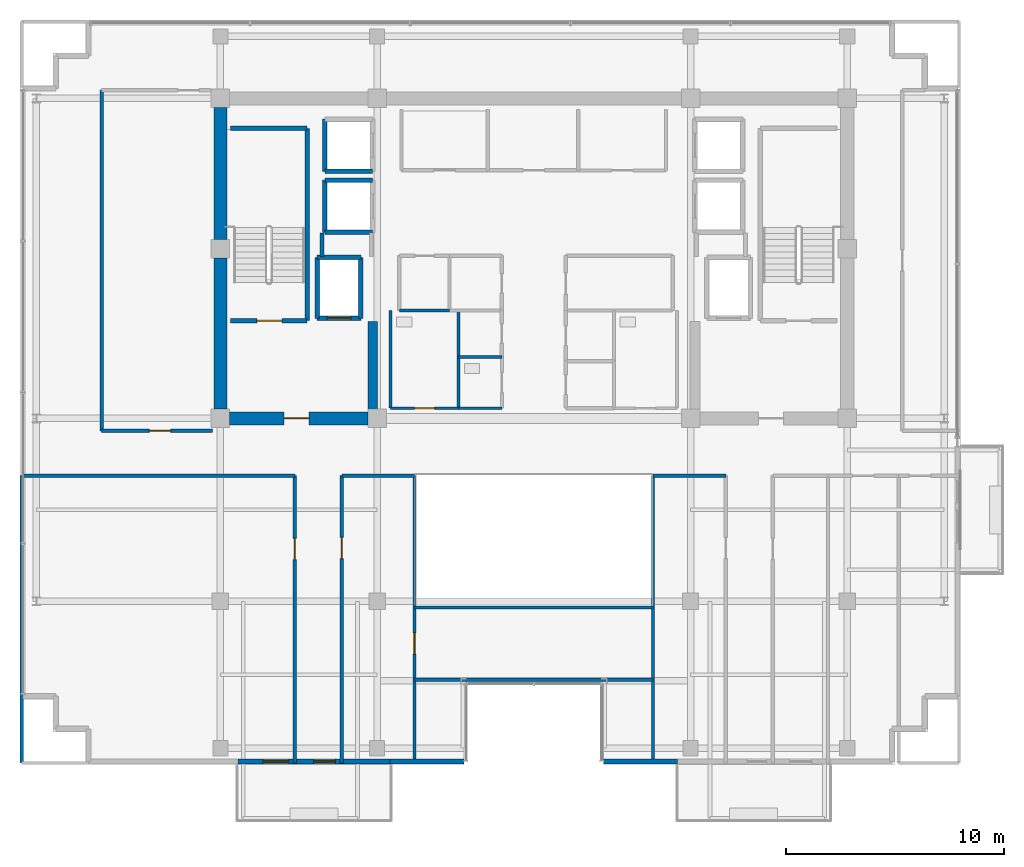
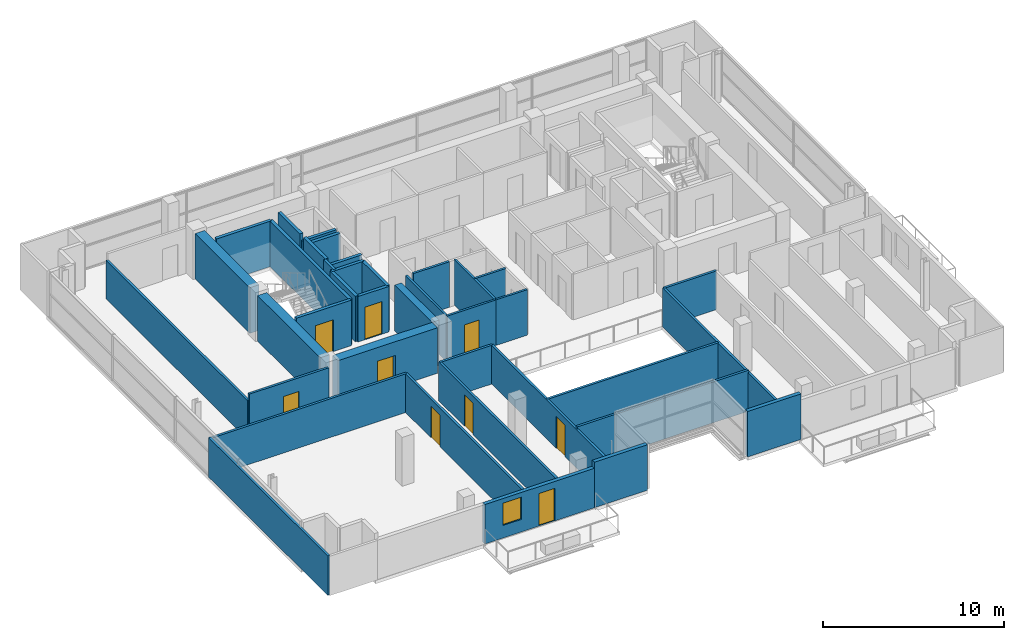
# One storey, part 16 of 22: 38 walls, 9 doors, 1 window, 10 openings.
"""IFC4 building model written with IfcOpenShell, lengths in metres."""

from ifc_helpers import new_model, si_unit, direction, frame, frame_2d, origin, place, context, subcontext, project, spatial, rectangle, extrude, source, transform, mapped, material, layer, layer_set, type_object, element, fill, save


model = new_model("IFC4")

# Units and contexts
model_context = context("Model", 3, precision=1e-05, world=origin(), true_north=direction((0.0, 1.0)))
body_context = subcontext(model_context, "Body", "Model", "MODEL_VIEW")
ifc_project = project(units=[si_unit("LENGTHUNIT", "METRE"), si_unit("AREAUNIT", "SQUARE_METRE"), si_unit("VOLUMEUNIT", "CUBIC_METRE"), si_unit("PLANEANGLEUNIT", "RADIAN"), si_unit("MASSUNIT", "GRAM", prefix="KILO")], contexts=[model_context])

# Site, building, storey
site_placement = place(None, origin())
site = spatial("IfcSite", under=ifc_project, at=site_placement, CompositionType="ELEMENT")
building_placement = place(site_placement, origin())
building = spatial("IfcBuilding", under=site, at=building_placement, Name="Zarnakvel Exchange Tower", CompositionType="ELEMENT")
storey_placement = place(building_placement, frame((0.0, 0.0, 225.39990234375)))
storey = spatial("IfcBuildingStorey", under=building, at=storey_placement, Name="L63", CompositionType="ELEMENT", Elevation=225.39990234375)

# Walls
ifc_material_1 = material(Name="Concrete C50/60", Category="concrete")
ifc_layer_1 = layer(ifc_material_1, 0.60009765625)
ifc_layer_set_1 = layer_set([ifc_layer_1], Name="Concrete C50/60")
wall_type_1 = type_object("IfcWallType", Name="CW-C5", PredefinedType="SHEAR", material=ifc_layer_set_1)
wall_1_placement = place(storey_placement, frame((-14.39990234375, -0.77490234375, 0.0), z_axis=(0.0, 0.0, 1.0), x_axis=(0.0, 1.0, 0.0)))
element("IfcWall", 1, at=wall_1_placement, inside=storey, type_object=wall_type_1, Name="L63 Rear Core Shear Wall W1 (CW-C5)", PredefinedType="SHEAR", context=body_context, shape_type="SweptSolid", body=[
    extrude(rectangle(XDim=6.949951171875, YDim=0.60009765625, at=frame_2d((3.47509765625, 0.0))), origin(), (0.0, 0.0, 1.0), 3.0751953125),
])
wall_2_placement = place(storey_placement, frame((-14.39990234375, 7.02490234375, 0.0), z_axis=(0.0, 0.0, 1.0), x_axis=(0.0, 1.0, 0.0)))
element("IfcWall", 2, at=wall_2_placement, inside=storey, type_object=wall_type_1, Name="L63 Rear Core Shear Wall W2 (CW-C5)", PredefinedType="SHEAR", context=body_context, shape_type="SweptSolid", body=[
    extrude(rectangle(XDim=6.050048828125, YDim=0.60009765625, at=frame_2d((3.02490234375, 0.0))), origin(), (0.0, 0.0, 1.0), 3.0751953125),
])

# Wall, opening, door
wall_3_placement = place(storey_placement, frame((-7.625, -1.199951171875, 0.0), z_axis=(0.0, 0.0, 1.0), x_axis=(-1.0, 0.0, 0.0)))
wall_3 = element("IfcWall", 3, at=wall_3_placement, inside=storey, type_object=wall_type_1, Name="L63 Rear Core Shear Wall SW (CW-C5)", PredefinedType="SHEAR", context=body_context, shape_type="SweptSolid", body=[
    extrude(rectangle(XDim=6.35009765625, YDim=0.60009765625, at=frame_2d((3.175048828125, 0.0))), origin(), (0.0, 0.0, 1.0), 3.0751953125),
])
opening_1_placement = place(wall_3_placement, frame((2.699951171875, 0.0, 0.0)))
opening_1 = element("IfcOpeningElement", 4, at=opening_1_placement, cuts=wall_3, Name="Opening D-L63-03", PredefinedType="OPENING", context=body_context, shape_type="SweptSolid", body=[
    extrude(rectangle(XDim=1.14990234375, YDim=2.14990234375, at=frame_2d((0.574951171875, 1.074951171875))), frame((0.0, 0.31005859375, 0.0), z_axis=(0.0, -1.0, 0.0), x_axis=(1.0, 0.0, 0.0)), (0.0, 0.0, 1.0), 0.6201171875),
])
ifc_material_2 = material(Name="Painted Galvanised Steel S355", Category="steel")
door_type_1 = type_object("IfcDoorType", Name="DT-04", OperationType="NOTDEFINED", PredefinedType="DOOR", material=ifc_material_2)
shared_shape_1 = source(origin(), body_context, "Body", "SweptSolid", [
    extrude(rectangle(XDim=1.14990234375, YDim=2.14990234375, at=frame_2d((0.574951171875, 1.074951171875))), frame((0.0, 0.02490234375, 0.0), z_axis=(0.0, -1.0, 0.0), x_axis=(1.0, 0.0, 0.0)), (0.0, 0.0, 1.0), 0.050048828125),
])
door_1_placement = place(opening_1_placement, origin())
door_1 = element("IfcDoor", 5, at=door_1_placement, inside=storey, type_object=door_type_1, Name="L63 Firefighting Lobby West Door D-L63-03", OperationType="SINGLE_SWING_LEFT", OverallHeight=2.14990234375, OverallWidth=1.14990234375, PredefinedType="DOOR", context=body_context, shape_type="MappedRepresentation", body=[
    mapped(shared_shape_1, transform((0.0, 0.0, 0.0), x_axis=(1.0, 0.0, 0.0), y_axis=(0.0, 1.0, 0.0), z_axis=(0.0, 0.0, 1.0), scale=1.0)),
])
fill(opening_1, door_1)

# Wall
ifc_layer_2 = layer(ifc_material_1, 0.449951171875)
ifc_layer_set_2 = layer_set([ifc_layer_2], Name="Concrete C50/60")
wall_type_2 = type_object("IfcWallType", Name="CW-C6", PredefinedType="SHEAR", material=ifc_layer_set_2)
wall_4_placement = place(storey_placement, frame((-7.39990234375, -0.89990234375, 0.0), z_axis=(0.0, 0.0, 1.0), x_axis=(0.0, 1.0, 0.0)))
element("IfcWall", 6, at=wall_4_placement, inside=storey, type_object=wall_type_2, Name="L63 Rear Core Shear Wall IW (CW-C6)", PredefinedType="SHEAR", context=body_context, shape_type="SweptSolid", body=[
    extrude(rectangle(XDim=4.14990234375, YDim=0.449951171875, at=frame_2d((2.074951171875, 0.0))), origin(), (0.0, 0.0, 1.0), 3.0751953125),
])

# Wall, openings, door, window
ifc_material_3 = material(Name="Precast concrete C40/50", Category="concrete")
ifc_layer_3 = layer(ifc_material_3, 0.239990234375)
ifc_layer_set_3 = layer_set([ifc_layer_3], Name="Precast concrete C40/50")
wall_type_3 = type_object("IfcWallType", Name="EW-02", PredefinedType="SOLIDWALL", material=ifc_layer_set_3)
wall_5_placement = place(storey_placement, frame((-6.60009765625, -16.9599609375, 0.0), z_axis=(0.0, 0.0, 1.0), x_axis=(-1.0, 0.0, 0.0)))
wall_5 = element("IfcWall", 7, at=wall_5_placement, inside=storey, type_object=wall_type_3, Name="L63 Exterior Precast Spandrel Wall EW-BAL-L63-SW (EW-02)", PredefinedType="SOLIDWALL", context=body_context, shape_type="SweptSolid", body=[
    extrude(rectangle(XDim=7.0, YDim=0.239990234375, at=frame_2d((3.5, 0.0))), origin(), (0.0, 0.0, 1.0), 2.6650390625),
])
opening_2_placement = place(wall_5_placement, frame((2.52001953125, 0.0, 0.0)))
opening_2 = element("IfcOpeningElement", 8, at=opening_2_placement, cuts=wall_5, Name="Opening BD-L63-01", PredefinedType="OPENING", context=body_context, shape_type="SweptSolid", body=[
    extrude(rectangle(XDim=1.0, YDim=2.199951171875, at=frame_2d((0.5, 1.10009765625))), frame((0.0, 0.1298828125, 0.0), z_axis=(0.0, -1.0, 0.0), x_axis=(1.0, 0.0, 0.0)), (0.0, 0.0, 1.0), 0.260009765625),
])
opening_3_placement = place(wall_5_placement, frame((4.64990234375, 0.0, 0.85009765625)))
opening_3 = element("IfcOpeningElement", 9, at=opening_3_placement, cuts=wall_5, Name="Opening WN-04", PredefinedType="OPENING", context=body_context, shape_type="SweptSolid", body=[
    extrude(rectangle(XDim=1.199951171875, YDim=1.5, at=frame_2d((0.60009765625, 0.75))), frame((0.0, 0.1298828125, 0.0), z_axis=(0.0, -1.0, 0.0), x_axis=(1.0, 0.0, 0.0)), (0.0, 0.0, 1.0), 0.260009765625),
])
ifc_material_4 = material(Name="Architectural Bronze Anodised Aluminium", Category="aluminium")
door_type_2 = type_object("IfcDoorType", Name="DT-09", OperationType="NOTDEFINED", PredefinedType="DOOR", material=ifc_material_4)
shared_shape_2 = source(origin(), body_context, "Body", "SweptSolid", [
    extrude(rectangle(XDim=1.0, YDim=2.199951171875, at=frame_2d((0.5, 1.10009765625))), frame((0.0, 0.02490234375, 0.0), z_axis=(0.0, -1.0, 0.0), x_axis=(1.0, 0.0, 0.0)), (0.0, 0.0, 1.0), 0.050048828125),
])
door_2_placement = place(opening_2_placement, origin())
door_2 = element("IfcDoor", 10, at=door_2_placement, inside=storey, type_object=door_type_2, Name="L63 Planted Loggia Balcony Door BD-L63-01", OperationType="SINGLE_SWING_LEFT", OverallHeight=2.199951171875, OverallWidth=1.0, PredefinedType="DOOR", context=body_context, shape_type="MappedRepresentation", body=[
    mapped(shared_shape_2, transform((0.0, 0.0, 0.0), x_axis=(1.0, 0.0, 0.0), y_axis=(0.0, 1.0, 0.0), z_axis=(0.0, 0.0, 1.0), scale=1.0)),
])
fill(opening_2, door_2)
ifc_material_5 = material(Name="Double Low-E Laminated Vision Glass", Category="glass")
window_type = type_object("IfcWindowType", Name="WN-04", PartitioningType="SINGLE_PANEL", PredefinedType="WINDOW", material=ifc_material_5)
shared_shape_3 = source(origin(), body_context, "Body", "SweptSolid", [
    extrude(rectangle(XDim=1.199951171875, YDim=1.5, at=frame_2d((0.60009765625, 0.75))), frame((0.0, 0.030029296875, 0.0), z_axis=(0.0, -1.0, 0.0), x_axis=(1.0, 0.0, 0.0)), (0.0, 0.0, 1.0), 0.06005859375),
])
window_placement = place(opening_3_placement, origin())
window = element("IfcWindow", 11, at=window_placement, inside=storey, type_object=window_type, Name="L63 Loggia Daylight Window (WN-04)", OverallHeight=1.5, OverallWidth=1.199951171875, PartitioningType="SINGLE_PANEL", PredefinedType="WINDOW", context=body_context, shape_type="MappedRepresentation", body=[
    mapped(shared_shape_3, transform((0.0, 0.0, 0.0), x_axis=(1.0, 0.0, 0.0), y_axis=(0.0, 1.0, 0.0), z_axis=(0.0, 0.0, 1.0), scale=1.0)),
])
fill(opening_3, window)

# Walls
for number, where, z_axis, x_axis, name in (
    (12, (3.199951171875, -16.9599609375, 0.0), (0.0, 0.0, 1.0), (1.0, 0.0, 0.0), "L63 Exterior Precast Spandrel Wall EWC-L63-16 (EW-02)"),
    (13, (-6.60009765625, -16.9599609375, 0.0), (0.0, 0.0, 1.0), (1.0, 0.0, 0.0), "L63 Exterior Precast Spandrel Wall EWC-L63-21 (EW-02)"),
):
    element("IfcWall", number, at=place(storey_placement, frame(where, z_axis=z_axis, x_axis=x_axis)), inside=storey, type_object=wall_type_3, Name=name, PredefinedType="SOLIDWALL", context=body_context, shape_type="SweptSolid", body=[
        extrude(rectangle(XDim=3.400146484375, YDim=0.239990234375, at=frame_2d((1.7001953125, 0.0))), origin(), (0.0, 0.0, 1.0), 3.0751953125),
    ])
ifc_material_6 = material(Name="Fire-Rated Gypsum Stud Partition", Category="gypsum")
ifc_layer_4 = layer(ifc_material_6, 0.14990234375)
ifc_layer_set_4 = layer_set([ifc_layer_4], Name="Fire-Rated Gypsum Stud Partition")
wall_type_4 = type_object("IfcWallType", Name="PT-01", PredefinedType="PARTITIONING", material=ifc_layer_set_4)
wall_6_placement = place(storey_placement, frame((-3.8701171875, 3.760009765625, 0.0), z_axis=(0.0, 0.0, 1.0), x_axis=(-1.0, 0.0, 0.0)))
element("IfcWall", 14, at=wall_6_placement, inside=storey, type_object=wall_type_4, Name="L63 Partition Wall PWALL-L63-018 (PT-01)", PredefinedType="PARTITIONING", context=body_context, shape_type="SweptSolid", body=[
    extrude(rectangle(XDim=2.309814453125, YDim=0.14990234375, at=frame_2d((1.15478515625, 0.0))), origin(), (0.0, 0.0, 1.0), 3.0751953125),
])
wall_7_placement = place(storey_placement, frame((-23.530029296875, -3.830078125, 0.0), z_axis=(0.0, 0.0, 1.0), x_axis=(1.0, 0.0, 0.0)))
element("IfcWall", 15, at=wall_7_placement, inside=storey, type_object=wall_type_4, Name="L63 Partition Wall PWALL-L63-045 (PT-01)", PredefinedType="PARTITIONING", context=body_context, shape_type="SweptSolid", body=[
    extrude(rectangle(XDim=12.550048828125, YDim=0.14990234375, at=frame_2d((6.27490234375, 0.0))), origin(), (0.0, 0.0, 1.0), 2.614990234375),
])
wall_8_placement = place(storey_placement, frame((-23.530029296875, -17.030029296875, 0.0), z_axis=(0.0, 0.0, 1.0), x_axis=(0.0, 1.0, 0.0)))
element("IfcWall", 16, at=wall_8_placement, inside=storey, type_object=wall_type_4, Name="L63 Partition Wall PWALL-L63-046 (PT-01)", PredefinedType="PARTITIONING", context=body_context, shape_type="SweptSolid", body=[
    extrude(rectangle(XDim=13.199951171875, YDim=0.14990234375, at=frame_2d((6.60009765625, 0.0))), origin(), (0.0, 0.0, 1.0), 2.6650390625),
])

# Wall, opening, door
wall_9_placement = place(storey_placement, frame((-10.97998046875, -3.830078125, 0.0), z_axis=(0.0, 0.0, 1.0), x_axis=(0.0, -1.0, 0.0)))
wall_9 = element("IfcWall", 17, at=wall_9_placement, inside=storey, type_object=wall_type_4, Name="L63 Partition Wall PWALL-L63-047 (PT-01)", PredefinedType="PARTITIONING", context=body_context, shape_type="SweptSolid", body=[
    extrude(rectangle(XDim=13.199951171875, YDim=0.14990234375, at=frame_2d((6.60009765625, 0.0))), origin(), (0.0, 0.0, 1.0), 2.614990234375),
])
opening_4_placement = place(wall_9_placement, frame((2.8798828125, 0.0, 0.0)))
opening_4 = element("IfcOpeningElement", 18, at=opening_4_placement, cuts=wall_9, Name="Opening D-L63-17", PredefinedType="OPENING", context=body_context, shape_type="SweptSolid", body=[
    extrude(rectangle(XDim=0.97998046875, YDim=2.14990234375, at=frame_2d((0.489990234375, 1.074951171875))), frame((0.0, 0.0849609375, 0.0), z_axis=(0.0, -1.0, 0.0), x_axis=(1.0, 0.0, 0.0)), (0.0, 0.0, 1.0), 0.169921875),
])
ifc_material_7 = material(Name="Timber Acoustic Veneer", Category="wood")
door_type_3 = type_object("IfcDoorType", Name="DT-05", OperationType="NOTDEFINED", PredefinedType="DOOR", material=ifc_material_7)
shared_shape_4 = source(origin(), body_context, "Body", "SweptSolid", [
    extrude(rectangle(XDim=0.97998046875, YDim=2.14990234375, at=frame_2d((0.489990234375, 1.074951171875))), frame((0.0, 0.02490234375, 0.0), z_axis=(0.0, -1.0, 0.0), x_axis=(1.0, 0.0, 0.0)), (0.0, 0.0, 1.0), 0.050048828125),
])
door_3_placement = place(opening_4_placement, origin())
door_3 = element("IfcDoor", 19, at=door_3_placement, inside=storey, type_object=door_type_3, Name="L63 Derivatives Trading Hall Door D-L63-17", OperationType="SINGLE_SWING_LEFT", OverallHeight=2.14990234375, OverallWidth=0.97998046875, PredefinedType="DOOR", context=body_context, shape_type="MappedRepresentation", body=[
    mapped(shared_shape_4, transform((0.0, 0.0, 0.0), x_axis=(1.0, 0.0, 0.0), y_axis=(0.0, 1.0, 0.0), z_axis=(0.0, 0.0, 1.0), scale=1.0)),
])
fill(opening_4, door_3)

# Wall
wall_10_placement = place(storey_placement, frame((-8.820068359375, -3.830078125, 0.0), z_axis=(0.0, 0.0, 1.0), x_axis=(1.0, 0.0, 0.0)))
element("IfcWall", 20, at=wall_10_placement, inside=storey, type_object=wall_type_4, Name="L63 Partition Wall PWALL-L63-059 (PT-01)", PredefinedType="PARTITIONING", context=body_context, shape_type="SweptSolid", body=[
    extrude(rectangle(XDim=3.340087890625, YDim=0.14990234375, at=frame_2d((1.669921875, 0.0))), origin(), (0.0, 0.0, 1.0), 2.614990234375),
])

# Wall, opening, door
wall_11_placement = place(storey_placement, frame((-8.820068359375, -17.030029296875, 0.0), z_axis=(0.0, 0.0, 1.0), x_axis=(0.0, 1.0, 0.0)))
wall_11 = element("IfcWall", 21, at=wall_11_placement, inside=storey, type_object=wall_type_4, Name="L63 Partition Wall PWALL-L63-060 (PT-01)", PredefinedType="PARTITIONING", context=body_context, shape_type="SweptSolid", body=[
    extrude(rectangle(XDim=13.199951171875, YDim=0.14990234375, at=frame_2d((6.60009765625, 0.0))), origin(), (0.0, 0.0, 1.0), 2.614990234375),
])
opening_5_placement = place(wall_11_placement, frame((9.385009765625, 0.0, 0.0)))
opening_5 = element("IfcOpeningElement", 22, at=opening_5_placement, cuts=wall_11, Name="Opening D-L63-21", PredefinedType="OPENING", context=body_context, shape_type="SweptSolid", body=[
    extrude(rectangle(XDim=0.97998046875, YDim=2.14990234375, at=frame_2d((0.489990234375, 1.074951171875))), frame((0.0, 0.0849609375, 0.0), z_axis=(0.0, -1.0, 0.0), x_axis=(1.0, 0.0, 0.0)), (0.0, 0.0, 1.0), 0.169921875),
])
door_4_placement = place(opening_5_placement, origin())
door_4 = element("IfcDoor", 23, at=door_4_placement, inside=storey, type_object=door_type_3, Name="L63 Staff Pantry Door D-L63-21", OperationType="SINGLE_SWING_LEFT", OverallHeight=2.14990234375, OverallWidth=0.97998046875, PredefinedType="DOOR", context=body_context, shape_type="MappedRepresentation", body=[
    mapped(shared_shape_4, transform((0.0, 0.0, 0.0), x_axis=(1.0, 0.0, 0.0), y_axis=(0.0, 1.0, 0.0), z_axis=(0.0, 0.0, 1.0), scale=1.0)),
])
fill(opening_5, door_4)

wall_12_placement = place(storey_placement, frame((-5.47998046875, -3.830078125, 0.0), z_axis=(0.0, 0.0, 1.0), x_axis=(0.0, -1.0, 0.0)))
wall_12 = element("IfcWall", 24, at=wall_12_placement, inside=storey, type_object=wall_type_4, Name="L63 Partition Wall PWALL-L63-061 (PT-01)", PredefinedType="PARTITIONING", context=body_context, shape_type="SweptSolid", body=[
    extrude(rectangle(XDim=13.199951171875, YDim=0.14990234375, at=frame_2d((6.60009765625, 0.0))), origin(), (0.0, 0.0, 1.0), 2.614990234375),
])
opening_6_placement = place(wall_12_placement, frame((7.219970703125, 0.0, 0.0)))
opening_6 = element("IfcOpeningElement", 25, at=opening_6_placement, cuts=wall_12, Name="Opening D-L63-23", PredefinedType="OPENING", context=body_context, shape_type="SweptSolid", body=[
    extrude(rectangle(XDim=0.97998046875, YDim=2.14990234375, at=frame_2d((0.489990234375, 1.074951171875))), frame((0.0, 0.0849609375, 0.0), z_axis=(0.0, -1.0, 0.0), x_axis=(1.0, 0.0, 0.0)), (0.0, 0.0, 1.0), 0.169921875),
])
door_5_placement = place(opening_6_placement, origin())
door_5 = element("IfcDoor", 26, at=door_5_placement, inside=storey, type_object=door_type_3, Name="L63 Client Lounge Door D-L63-23", OperationType="SINGLE_SWING_LEFT", OverallHeight=2.14990234375, OverallWidth=0.97998046875, PredefinedType="DOOR", context=body_context, shape_type="MappedRepresentation", body=[
    mapped(shared_shape_4, transform((0.0, 0.0, 0.0), x_axis=(1.0, 0.0, 0.0), y_axis=(0.0, 1.0, 0.0), z_axis=(0.0, 0.0, 1.0), scale=1.0)),
])
fill(opening_6, door_5)

# Walls
wall_13_placement = place(storey_placement, frame((5.47998046875, -3.830078125, 0.0), z_axis=(0.0, 0.0, 1.0), x_axis=(1.0, 0.0, 0.0)))
element("IfcWall", 27, at=wall_13_placement, inside=storey, type_object=wall_type_4, Name="L63 Partition Wall PWALL-L63-063 (PT-01)", PredefinedType="PARTITIONING", context=body_context, shape_type="SweptSolid", body=[
    extrude(rectangle(XDim=3.340087890625, YDim=0.14990234375, at=frame_2d((1.669921875, 0.0))), origin(), (0.0, 0.0, 1.0), 2.614990234375),
])
wall_14_placement = place(storey_placement, frame((5.47998046875, -17.030029296875, 0.0), z_axis=(0.0, 0.0, 1.0), x_axis=(0.0, 1.0, 0.0)))
element("IfcWall", 28, at=wall_14_placement, inside=storey, type_object=wall_type_4, Name="L63 Partition Wall PWALL-L63-064 (PT-01)", PredefinedType="PARTITIONING", context=body_context, shape_type="SweptSolid", body=[
    extrude(rectangle(XDim=13.199951171875, YDim=0.14990234375, at=frame_2d((6.60009765625, 0.0))), origin(), (0.0, 0.0, 1.0), 2.614990234375),
])
wall_15_placement = place(storey_placement, frame((5.47998046875, -13.199951171875, 0.0), z_axis=(0.0, 0.0, 1.0), x_axis=(-1.0, 0.0, 0.0)))
element("IfcWall", 29, at=wall_15_placement, inside=storey, type_object=wall_type_4, Name="L63 Partition Wall PWALL-L63-066 (PT-01)", PredefinedType="PARTITIONING", context=body_context, shape_type="SweptSolid", body=[
    extrude(rectangle(XDim=10.9599609375, YDim=0.14990234375, at=frame_2d((5.47998046875, 0.0))), origin(), (0.0, 0.0, 1.0), 2.76513671875),
])
wall_16_placement = place(storey_placement, frame((-5.47998046875, -9.8798828125, 0.0), z_axis=(0.0, 0.0, 1.0), x_axis=(1.0, 0.0, 0.0)))
element("IfcWall", 30, at=wall_16_placement, inside=storey, type_object=wall_type_4, Name="L63 Partition Wall PWALL-L63-067 (PT-01)", PredefinedType="PARTITIONING", context=body_context, shape_type="SweptSolid", body=[
    extrude(rectangle(XDim=10.9599609375, YDim=0.14990234375, at=frame_2d((5.47998046875, 0.0))), origin(), (0.0, 0.0, 1.0), 2.614990234375),
])

# Wall, opening, door
wall_17_placement = place(storey_placement, frame((-14.77001953125, -1.77001953125, 0.0), z_axis=(0.0, 0.0, 1.0), x_axis=(-1.0, 0.0, 0.0)))
wall_17 = element("IfcWall", 31, at=wall_17_placement, inside=storey, type_object=wall_type_4, Name="L63 Partition Wall PWALL-L63-068 (PT-01)", PredefinedType="PARTITIONING", context=body_context, shape_type="SweptSolid", body=[
    extrude(rectangle(XDim=5.083251953125, YDim=0.14990234375, at=frame_2d((2.54150390625, 0.0))), origin(), (0.0, 0.0, 1.0), 3.0751953125),
])
opening_7_placement = place(wall_17_placement, frame((1.9150390625, 0.0, 0.0)))
opening_7 = element("IfcOpeningElement", 32, at=opening_7_placement, cuts=wall_17, Name="Opening D-L63-24", PredefinedType="OPENING", context=body_context, shape_type="SweptSolid", body=[
    extrude(rectangle(XDim=0.97998046875, YDim=2.14990234375, at=frame_2d((0.489990234375, 1.074951171875))), frame((0.0, 0.0849609375, 0.0), z_axis=(0.0, -1.0, 0.0), x_axis=(1.0, 0.0, 0.0)), (0.0, 0.0, 1.0), 0.169921875),
])
door_6_placement = place(opening_7_placement, origin())
door_6 = element("IfcDoor", 33, at=door_6_placement, inside=storey, type_object=door_type_3, Name="L63 Staff Pantry Door D-L63-24", OperationType="SINGLE_SWING_RIGHT", OverallHeight=2.14990234375, OverallWidth=0.97998046875, PredefinedType="DOOR", context=body_context, shape_type="MappedRepresentation", body=[
    mapped(shared_shape_4, transform((0.0, 0.0, 0.0), x_axis=(1.0, 0.0, 0.0), y_axis=(0.0, 1.0, 0.0), z_axis=(0.0, 0.0, 1.0), scale=1.0)),
])
fill(opening_7, door_6)

# Walls
wall_18_placement = place(storey_placement, frame((-19.853271484375, -1.77001953125, 0.0), z_axis=(0.0, 0.0, 1.0), x_axis=(0.0, 1.0, 0.0)))
element("IfcWall", 34, at=wall_18_placement, inside=storey, type_object=wall_type_4, Name="L63 Partition Wall PWALL-L63-070 (PT-01)", PredefinedType="PARTITIONING", context=body_context, shape_type="SweptSolid", body=[
    extrude(rectangle(XDim=15.64990234375, YDim=0.14990234375, at=frame_2d((7.824951171875, 0.0))), origin(), (0.0, 0.0, 1.0), 2.614990234375),
])
ifc_layer_5 = layer(ifc_material_6, 0.179931640625)
ifc_layer_set_5 = layer_set([ifc_layer_5], Name="Fire-Rated Gypsum Stud Partition")
wall_type_5 = type_object("IfcWallType", Name="PT-02", PredefinedType="PARTITIONING", material=ifc_layer_set_5)
wall_19_placement = place(storey_placement, frame((-9.72998046875, 6.239990234375, 0.0), z_axis=(0.0, 0.0, 1.0), x_axis=(0.0, 1.0, 0.0)))
element("IfcWall", 35, at=wall_19_placement, inside=storey, type_object=wall_type_5, Name="L63 Partition Wall PWALL-L63-007 (PT-02)", PredefinedType="PARTITIONING", context=body_context, shape_type="SweptSolid", body=[
    extrude(rectangle(XDim=1.090087890625, YDim=0.179931640625, at=frame_2d((0.544921875, 0.0))), origin(), (0.0, 0.0, 1.0), 3.0751953125),
])

# Wall, opening, door
ifc_material_8 = material(Name="Moisture-Resistant Tile-Faced Partition", Category="gypsum")
ifc_layer_6 = layer(ifc_material_8, 0.135009765625)
ifc_layer_set_6 = layer_set([ifc_layer_6], Name="Moisture-Resistant Tile-Faced Partition")
wall_type_6 = type_object("IfcWallType", Name="PT-03", PredefinedType="PARTITIONING", material=ifc_layer_set_6)
wall_20_placement = place(storey_placement, frame((-3.469970703125, -0.72998046875, 0.0), z_axis=(0.0, 0.0, 1.0), x_axis=(-1.0, 0.0, 0.0)))
wall_20 = element("IfcWall", 36, at=wall_20_placement, inside=storey, type_object=wall_type_6, Name="L63 Partition Wall PWALL-L63-029 (PT-03)", PredefinedType="PARTITIONING", context=body_context, shape_type="SweptSolid", body=[
    extrude(rectangle(XDim=3.110107421875, YDim=0.135009765625, at=frame_2d((1.55517578125, 0.0))), origin(), (0.0, 0.0, 1.0), 3.0751953125),
])
opening_8_placement = place(wall_20_placement, frame((1.090087890625, 0.0, 0.0)))
opening_8 = element("IfcOpeningElement", 37, at=opening_8_placement, cuts=wall_20, Name="Opening D-L63-11", PredefinedType="OPENING", context=body_context, shape_type="SweptSolid", body=[
    extrude(rectangle(XDim=0.919921875, YDim=2.10009765625, at=frame_2d((0.4599609375, 1.050048828125))), frame((0.0, 0.077392578125, 0.0), z_axis=(0.0, -1.0, 0.0), x_axis=(1.0, 0.0, 0.0)), (0.0, 0.0, 1.0), 0.155029296875),
])
ifc_material_9 = material(Name="Moisture-Resistant Laminate Timber", Category="wood")
door_type_4 = type_object("IfcDoorType", Name="DT-07", OperationType="NOTDEFINED", PredefinedType="DOOR", material=ifc_material_9)
shared_shape_5 = source(origin(), body_context, "Body", "SweptSolid", [
    extrude(rectangle(XDim=0.919921875, YDim=2.10009765625, at=frame_2d((0.4599609375, 1.050048828125))), frame((0.0, 0.02490234375, 0.0), z_axis=(0.0, -1.0, 0.0), x_axis=(1.0, 0.0, 0.0)), (0.0, 0.0, 1.0), 0.050048828125),
])
door_7_placement = place(opening_8_placement, origin())
door_7 = element("IfcDoor", 38, at=door_7_placement, inside=storey, type_object=door_type_4, Name="L63 Male Toilet Door D-L63-11", OperationType="SINGLE_SWING_LEFT", OverallHeight=2.10009765625, OverallWidth=0.919921875, PredefinedType="DOOR", context=body_context, shape_type="MappedRepresentation", body=[
    mapped(shared_shape_5, transform((0.0, 0.0, 0.0), x_axis=(1.0, 0.0, 0.0), y_axis=(0.0, 1.0, 0.0), z_axis=(0.0, 0.0, 1.0), scale=1.0)),
])
fill(opening_8, door_7)

# Walls
for number, where, z_axis, x_axis, name in (
    (39, (-6.580078125, -0.72998046875, 0.0), (0.0, 0.0, 1.0), (0.0, 1.0, 0.0), "L63 Partition Wall PWALL-L63-030 (PT-03)"),
    (40, (-3.469970703125, 3.760009765625, 0.0), (0.0, 0.0, 1.0), (0.0, -1.0, 0.0), "L63 Partition Wall PWALL-L63-031 (PT-03)"),
):
    element("IfcWall", number, at=place(storey_placement, frame(where, z_axis=z_axis, x_axis=x_axis)), inside=storey, type_object=wall_type_6, Name=name, PredefinedType="PARTITIONING", context=body_context, shape_type="SweptSolid", body=[
        extrude(rectangle(XDim=4.489990234375, YDim=0.135009765625, at=frame_2d((2.2451171875, 0.0))), origin(), (0.0, 0.0, 1.0), 3.0751953125),
    ])
for number, where, z_axis, x_axis, name in (
    (41, (-1.469970703125, -0.72998046875, 0.0), (0.0, 0.0, 1.0), (-1.0, 0.0, 0.0), "L63 Partition Wall PWALL-L63-032 (PT-03)"),
    (42, (-3.469970703125, 1.6298828125, 0.0), (0.0, 0.0, 1.0), (1.0, 0.0, 0.0), "L63 Partition Wall PWALL-L63-033 (PT-03)"),
):
    element("IfcWall", number, at=place(storey_placement, frame(where, z_axis=z_axis, x_axis=x_axis)), inside=storey, type_object=wall_type_6, Name=name, PredefinedType="PARTITIONING", context=body_context, shape_type="SweptSolid", body=[
        extrude(rectangle(XDim=2.0, YDim=0.135009765625, at=frame_2d((1.0, 0.0))), origin(), (0.0, 0.0, 1.0), 3.0751953125),
    ])

# Wall, opening, door
ifc_material_10 = material(Name="Concrete C40/50", Category="concrete")
ifc_layer_7 = layer(ifc_material_10, 0.199951171875)
ifc_layer_set_7 = layer_set([ifc_layer_7], Name="Concrete C40/50")
wall_type_7 = type_object("IfcWallType", Name="SW-01", PredefinedType="SOLIDWALL", material=ifc_layer_set_7)
wall_21_placement = place(storey_placement, frame((-7.949951171875, 3.39990234375, 0.0), z_axis=(0.0, 0.0, 1.0), x_axis=(-1.0, 0.0, 0.0)))
wall_21 = element("IfcWall", 43, at=wall_21_placement, inside=storey, type_object=wall_type_7, Name="L63 FL-01 Hoistway Wall South", PredefinedType="SOLIDWALL", context=body_context, shape_type="SweptSolid", body=[
    extrude(rectangle(XDim=2.0, YDim=0.199951171875, at=frame_2d((1.0, 0.0))), origin(), (0.0, 0.0, 1.0), 3.0751953125),
])
opening_9_placement = place(wall_21_placement, frame((0.449951171875, 0.0, 0.0)))
opening_9 = element("IfcOpeningElement", 44, at=opening_9_placement, cuts=wall_21, Name="Opening LD-FL-01-L63", PredefinedType="OPENING", context=body_context, shape_type="SweptSolid", body=[
    extrude(rectangle(XDim=1.10009765625, YDim=2.199951171875, at=frame_2d((0.550048828125, 1.10009765625))), frame((0.0, 0.10986328125, 0.0), z_axis=(0.0, -1.0, 0.0), x_axis=(1.0, 0.0, 0.0)), (0.0, 0.0, 1.0), 0.219970703125),
])
ifc_material_11 = material(Name="Brushed Stainless Steel", Category="steel")
door_type_5 = type_object("IfcDoorType", Name="LDT-01", OperationType="NOTDEFINED", PredefinedType="DOOR", material=ifc_material_11)
shared_shape_6 = source(origin(), body_context, "Body", "SweptSolid", [
    extrude(rectangle(XDim=1.10009765625, YDim=2.199951171875, at=frame_2d((0.550048828125, 1.10009765625))), frame((0.0, 0.02490234375, 0.0), z_axis=(0.0, -1.0, 0.0), x_axis=(1.0, 0.0, 0.0)), (0.0, 0.0, 1.0), 0.050048828125),
])
door_8_placement = place(opening_9_placement, origin())
door_8 = element("IfcDoor", 45, at=door_8_placement, inside=storey, type_object=door_type_5, Name="L63 FL-01 Lift Landing Door LD-FL-01-L63", OperationType="DOUBLE_DOOR_SLIDING", OverallHeight=2.199951171875, OverallWidth=1.10009765625, PredefinedType="DOOR", context=body_context, shape_type="MappedRepresentation", body=[
    mapped(shared_shape_6, transform((0.0, 0.0, 0.0), x_axis=(1.0, 0.0, 0.0), y_axis=(0.0, 1.0, 0.0), z_axis=(0.0, 0.0, 1.0), scale=1.0)),
])
fill(opening_9, door_8)

# Walls
wall_22_placement = place(storey_placement, frame((-9.949951171875, 6.199951171875, 0.0), z_axis=(0.0, 0.0, 1.0), x_axis=(1.0, 0.0, 0.0)))
element("IfcWall", 46, at=wall_22_placement, inside=storey, type_object=wall_type_7, Name="L63 FL-01 Hoistway Wall North", PredefinedType="SOLIDWALL", context=body_context, shape_type="SweptSolid", body=[
    extrude(rectangle(XDim=2.0, YDim=0.199951171875, at=frame_2d((1.0, 0.0))), origin(), (0.0, 0.0, 1.0), 3.0751953125),
])
for number, where, z_axis, x_axis, name in (
    (47, (-9.949951171875, 3.39990234375, 0.0), (0.0, 0.0, 1.0), (0.0, 1.0, 0.0), "L63 FL-01 Hoistway Wall West"),
    (48, (-7.949951171875, 6.199951171875, 0.0), (0.0, 0.0, 1.0), (0.0, -1.0, 0.0), "L63 FL-01 Hoistway Wall East"),
):
    element("IfcWall", number, at=place(storey_placement, frame(where, z_axis=z_axis, x_axis=x_axis)), inside=storey, type_object=wall_type_7, Name=name, PredefinedType="SOLIDWALL", context=body_context, shape_type="SweptSolid", body=[
        extrude(rectangle(XDim=2.800048828125, YDim=0.199951171875, at=frame_2d((1.39990234375, 0.0))), origin(), (0.0, 0.0, 1.0), 3.0751953125),
    ])
for number, where, z_axis, x_axis, name in (
    (49, (-7.39990234375, 7.35009765625, 0.0), (0.0, 0.0, 1.0), (-1.0, 0.0, 0.0), "L63 PL-09 Hoistway Wall South"),
    (50, (-9.60009765625, 9.75, 0.0), (0.0, 0.0, 1.0), (1.0, 0.0, 0.0), "L63 PL-09 Hoistway Wall North"),
):
    element("IfcWall", number, at=place(storey_placement, frame(where, z_axis=z_axis, x_axis=x_axis)), inside=storey, type_object=wall_type_7, Name=name, PredefinedType="SOLIDWALL", context=body_context, shape_type="SweptSolid", body=[
        extrude(rectangle(XDim=2.2001953125, YDim=0.199951171875, at=frame_2d((1.10009765625, 0.0))), origin(), (0.0, 0.0, 1.0), 2.614990234375),
    ])
wall_23_placement = place(storey_placement, frame((-9.60009765625, 7.35009765625, 0.0), z_axis=(0.0, 0.0, 1.0), x_axis=(0.0, 1.0, 0.0)))
element("IfcWall", 51, at=wall_23_placement, inside=storey, type_object=wall_type_7, Name="L63 PL-09 Hoistway Wall West", PredefinedType="SOLIDWALL", context=body_context, shape_type="SweptSolid", body=[
    extrude(rectangle(XDim=2.39990234375, YDim=0.199951171875, at=frame_2d((1.199951171875, 0.0))), origin(), (0.0, 0.0, 1.0), 3.0751953125),
])
wall_24_placement = place(storey_placement, frame((-7.39990234375, 10.14990234375, 0.0), z_axis=(0.0, 0.0, 1.0), x_axis=(-1.0, 0.0, 0.0)))
element("IfcWall", 52, at=wall_24_placement, inside=storey, type_object=wall_type_7, Name="L63 PL-10 Hoistway Wall South", PredefinedType="SOLIDWALL", context=body_context, shape_type="SweptSolid", body=[
    extrude(rectangle(XDim=2.2001953125, YDim=0.199951171875, at=frame_2d((1.10009765625, 0.0))), origin(), (0.0, 0.0, 1.0), 2.614990234375),
])
wall_25_placement = place(storey_placement, frame((-9.60009765625, 10.14990234375, 0.0), z_axis=(0.0, 0.0, 1.0), x_axis=(0.0, 1.0, 0.0)))
element("IfcWall", 53, at=wall_25_placement, inside=storey, type_object=wall_type_7, Name="L63 PL-10 Hoistway Wall West", PredefinedType="SOLIDWALL", context=body_context, shape_type="SweptSolid", body=[
    extrude(rectangle(XDim=2.400146484375, YDim=0.199951171875, at=frame_2d((1.2001953125, 0.0))), origin(), (0.0, 0.0, 1.0), 3.0751953125),
])

# Wall, opening, door
ifc_layer_8 = layer(ifc_material_10, 0.199951171875)
ifc_layer_set_8 = layer_set([ifc_layer_8], Name="Concrete C40/50")
wall_type_8 = type_object("IfcWallType", Name="SW-02", PredefinedType="SOLIDWALL", material=ifc_layer_set_8)
wall_26_placement = place(storey_placement, frame((-10.409912109375, 3.2900390625, 0.0), z_axis=(0.0, 0.0, 1.0), x_axis=(-1.0, 0.0, 0.0)))
wall_26 = element("IfcWall", 54, at=wall_26_placement, inside=storey, type_object=wall_type_8, Name="L63 Stairwell Core Wall PWALL-L63-001 (SW-02)", PredefinedType="SOLIDWALL", context=body_context, shape_type="SweptSolid", body=[
    extrude(rectangle(XDim=3.52001953125, YDim=0.199951171875, at=frame_2d((1.760009765625, 0.0))), origin(), (0.0, 0.0, 1.0), 3.0751953125),
])
opening_10_placement = place(wall_26_placement, frame((1.1650390625, 0.0, 0.0)))
opening_10 = element("IfcOpeningElement", 55, at=opening_10_placement, cuts=wall_26, Name="Opening D-L63-01", PredefinedType="OPENING", context=body_context, shape_type="SweptSolid", body=[
    extrude(rectangle(XDim=1.14990234375, YDim=2.14990234375, at=frame_2d((0.574951171875, 1.074951171875))), frame((0.0, 0.10986328125, 0.0), z_axis=(0.0, -1.0, 0.0), x_axis=(1.0, 0.0, 0.0)), (0.0, 0.0, 1.0), 0.219970703125),
])
door_9_placement = place(opening_10_placement, origin())
door_9 = element("IfcDoor", 56, at=door_9_placement, inside=storey, type_object=door_type_1, Name="L63 Stairwell ST-01 Door D-L63-01", OperationType="SINGLE_SWING_LEFT", OverallHeight=2.14990234375, OverallWidth=1.14990234375, PredefinedType="DOOR", context=body_context, shape_type="MappedRepresentation", body=[
    mapped(shared_shape_1, transform((0.0, 0.0, 0.0), x_axis=(1.0, 0.0, 0.0), y_axis=(0.0, 1.0, 0.0), z_axis=(0.0, 0.0, 1.0), scale=1.0)),
])
fill(opening_10, door_9)

# Walls
wall_27_placement = place(storey_placement, frame((-13.929931640625, 12.1298828125, 0.0), z_axis=(0.0, 0.0, 1.0), x_axis=(1.0, 0.0, 0.0)))
element("IfcWall", 57, at=wall_27_placement, inside=storey, type_object=wall_type_8, Name="L63 Stairwell Core Wall PWALL-L63-002 (SW-02)", PredefinedType="SOLIDWALL", context=body_context, shape_type="SweptSolid", body=[
    extrude(rectangle(XDim=3.52001953125, YDim=0.199951171875, at=frame_2d((1.760009765625, 0.0))), origin(), (0.0, 0.0, 1.0), 3.0751953125),
])
wall_28_placement = place(storey_placement, frame((-10.409912109375, 12.1298828125, 0.0), z_axis=(0.0, 0.0, 1.0), x_axis=(0.0, -1.0, 0.0)))
element("IfcWall", 58, at=wall_28_placement, inside=storey, type_object=wall_type_8, Name="L63 Stairwell Core Wall PWALL-L63-003 (SW-02)", PredefinedType="SOLIDWALL", context=body_context, shape_type="SweptSolid", body=[
    extrude(rectangle(XDim=8.83984375, YDim=0.199951171875, at=frame_2d((4.419921875, 0.0))), origin(), (0.0, 0.0, 1.0), 3.0751953125),
])

save(model, "model.ifc")
